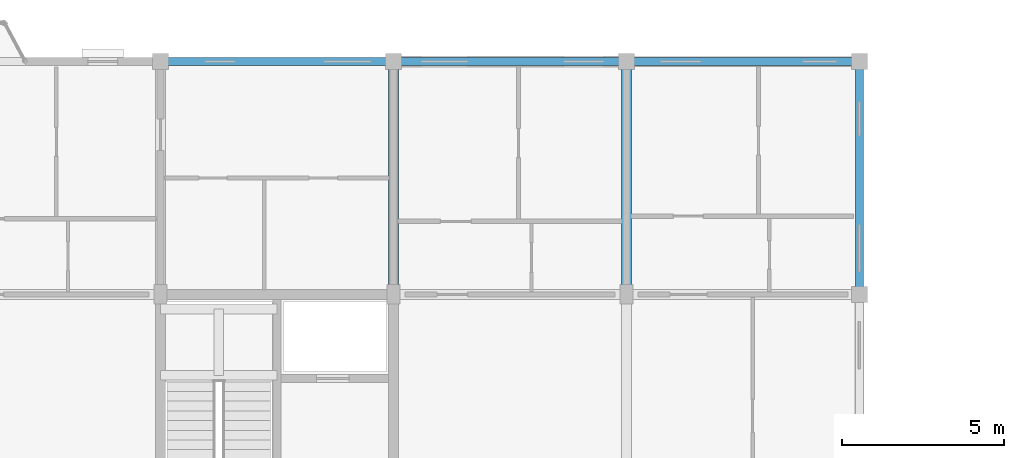
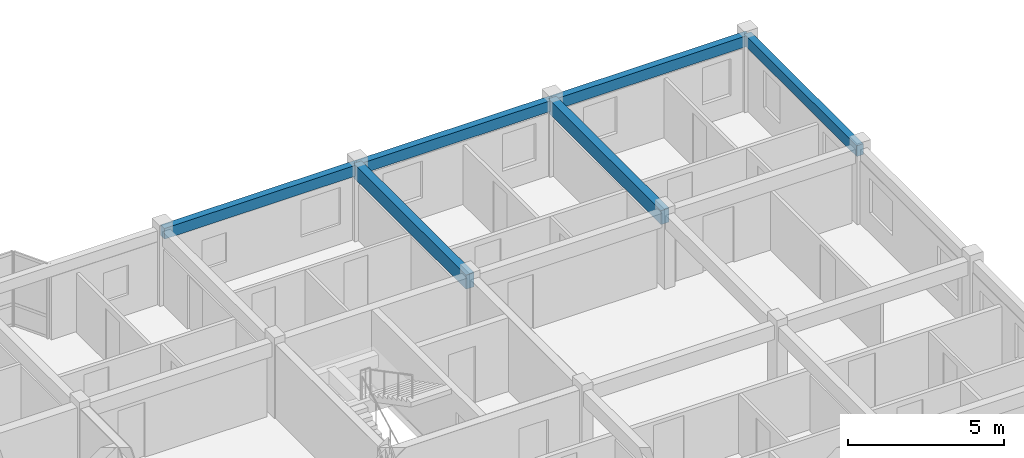
# One storey, part 40 of 65: 6 beams.
"""IFC4 building model written with IfcOpenShell, lengths in metres."""

from ifc_helpers import new_model, si_unit, direction, frame, origin, origin_2d, place, context, subcontext, project, spatial, rectangle, extrude, material, material_profile, profile_set, type_object, element, save


model = new_model("IFC4")

# Units and contexts
model_context = context("Model", 3, precision=1e-05, world=origin(), true_north=direction((0.0, 1.0)))
body_context = subcontext(model_context, "Body", "Model", "MODEL_VIEW")
ifc_project = project(units=[si_unit("LENGTHUNIT", "METRE"), si_unit("AREAUNIT", "SQUARE_METRE"), si_unit("VOLUMEUNIT", "CUBIC_METRE"), si_unit("PLANEANGLEUNIT", "RADIAN"), si_unit("MASSUNIT", "GRAM", prefix="KILO"), si_unit("THERMODYNAMICTEMPERATUREUNIT", "KELVIN"), si_unit("POWERUNIT", "WATT")], contexts=[model_context])

# Site, building, storey
site_placement = place(None, origin())
site = spatial("IfcSite", under=ifc_project, at=site_placement, CompositionType="ELEMENT")
building_placement = place(site_placement, origin())
building = spatial("IfcBuilding", under=site, at=building_placement, Name="Tavuni Mirador Residences", CompositionType="ELEMENT")
storey_placement = place(building_placement, frame((0.0, 0.0, 29.699951171875)))
storey = spatial("IfcBuildingStorey", under=building, at=storey_placement, Name="L09", CompositionType="ELEMENT", Elevation=29.699951171875)

# Beams
ifc_material = material(Name="Precast concrete C40/50", Category="concrete")
ifc_material_profile_1 = material_profile(ifc_material, rectangle(XDim=0.300048828125, YDim=0.550048828125, at=origin_2d()), Name="PC 300x550", Category="concrete")
ifc_profile_set_1 = profile_set([ifc_material_profile_1], Name="Precast concrete C40/50")
beam_type_1 = type_object("IfcBeamType", Name="BT-B550", PredefinedType="BEAM", material=ifc_profile_set_1)
for number, where, z_axis, x_axis, name in (
    (1, (46.800048828125, 165.60009765625, 2.610107421875), (0.0, 1.0, 0.0), (-1.0, 0.0, 0.0), "BMY-BLK-C-L09-05-03"),
    (2, (54.0, 165.60009765625, 2.610107421875), (0.0, 1.0, 0.0), (-1.0, 0.0, 0.0), "BMY-BLK-C-L09-06-03"),
):
    element("IfcBeam", number, at=place(storey_placement, frame(where, z_axis=z_axis, x_axis=x_axis)), inside=storey, type_object=beam_type_1, Name=name, PredefinedType="BEAM", context=body_context, shape_type="SweptSolid", body=[
        extrude(rectangle(XDim=0.300048828125, YDim=0.550048828125, at=origin_2d()), origin(), (0.0, 0.0, 1.0), 7.199951171875),
    ])
ifc_material_profile_2 = material_profile(ifc_material, rectangle(XDim=0.25, YDim=0.419921875, at=origin_2d()), Name="PC 250x420", Category="concrete")
ifc_profile_set_2 = profile_set([ifc_material_profile_2], Name="Precast concrete C40/50")
beam_type_2 = type_object("IfcBeamType", Name="BT-SP420", PredefinedType="SPANDREL", material=ifc_profile_set_2)
for number, where, z_axis, x_axis, name in (
    (3, (39.60009765625, 172.800048828125, 2.675048828125), (1.0, 0.0, 0.0), (0.0, 1.0, 0.0), "BMX-BLK-C-L09-04-04"),
    (4, (46.800048828125, 172.800048828125, 2.675048828125), (1.0, 0.0, 0.0), (0.0, 1.0, 0.0), "BMX-BLK-C-L09-05-04"),
    (5, (54.0, 172.800048828125, 2.675048828125), (1.0, 0.0, 0.0), (0.0, 1.0, 0.0), "BMX-BLK-C-L09-06-04"),
    (6, (61.199951171875, 165.60009765625, 2.675048828125), (0.0, 1.0, 0.0), (-1.0, 0.0, 0.0), "BMY-BLK-C-L09-07-03"),
):
    element("IfcBeam", number, at=place(storey_placement, frame(where, z_axis=z_axis, x_axis=x_axis)), inside=storey, type_object=beam_type_2, Name=name, PredefinedType="SPANDREL", context=body_context, shape_type="SweptSolid", body=[
        extrude(rectangle(XDim=0.25, YDim=0.419921875, at=origin_2d()), origin(), (0.0, 0.0, 1.0), 7.199951171875),
    ])

save(model, "model.ifc")
